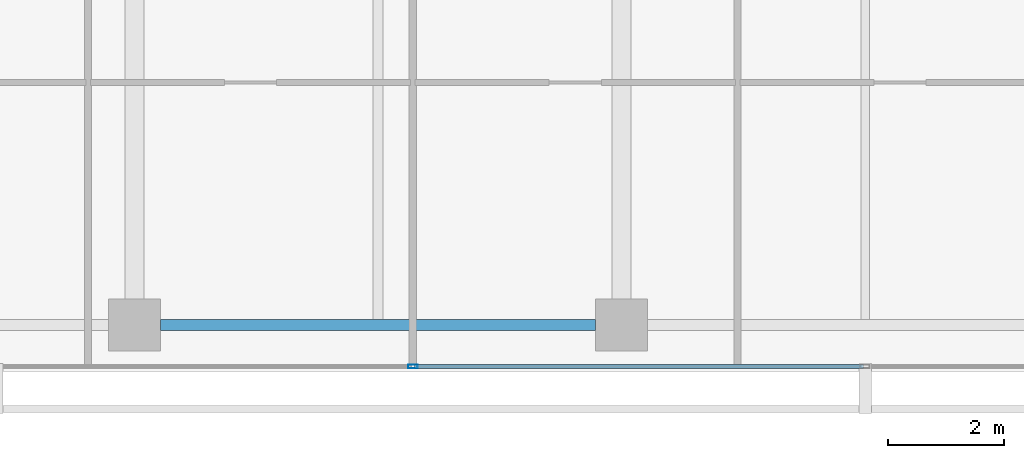
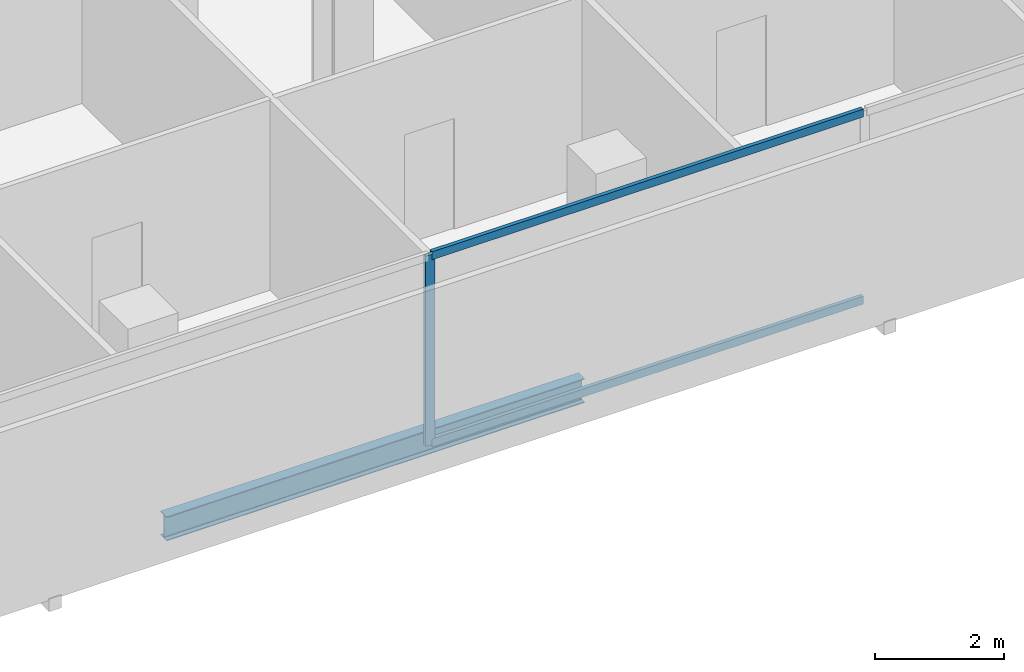
# One storey, part 7 of 41: 3 members, 1 beam, 1 element without a shape of its own.
"""IFC4 building model written with IfcOpenShell, lengths in metres."""

from ifc_helpers import new_model, si_unit, direction, frame, origin, origin_2d, place, context, subcontext, project, spatial, hollow_rectangle, i_section, extrude, material, layer, layer_set, material_profile, profile_set, type_object, element, aggregate, save


model = new_model("IFC4")

# Units and contexts
model_context = context("Model", 3, precision=1e-05, world=origin(), true_north=direction((0.0, 1.0)))
body_context = subcontext(model_context, "Body", "Model", "MODEL_VIEW")
ifc_project = project(units=[si_unit("LENGTHUNIT", "METRE"), si_unit("AREAUNIT", "SQUARE_METRE"), si_unit("VOLUMEUNIT", "CUBIC_METRE"), si_unit("PLANEANGLEUNIT", "RADIAN"), si_unit("MASSUNIT", "GRAM", prefix="KILO")], contexts=[model_context])

# Site, building, storey
site_placement = place(None, origin())
site = spatial("IfcSite", under=ifc_project, at=site_placement, CompositionType="ELEMENT")
building_placement = place(site_placement, origin())
building = spatial("IfcBuilding", under=site, at=building_placement, Name="Maruvema Waterfront Hotel and Observation Tower", CompositionType="ELEMENT")
storey_placement = place(building_placement, frame((0.0, 0.0, 61.60009765625)))
storey = spatial("IfcBuildingStorey", under=building, at=storey_placement, Name="L14", CompositionType="ELEMENT", Elevation=61.60009765625)

# Curtain wall, members
ifc_material_1 = material(Name="Anodised bronze aluminium and solar-control low-E IGU", Category="aluminium")
ifc_layer = layer(ifc_material_1, 0.159912109375, Name="Zone 1 Bronze Inner Thermal Curtain Wall System CW-02")
ifc_layer_set = layer_set([ifc_layer], Name="Anodised bronze aluminium and solar-control low-E IGU")
curtain_wall_type = type_object("IfcCurtainWallType", Name="Zone 1 Bronze Inner Thermal Curtain Wall System CW-02", PredefinedType="USERDEFINED", material=ifc_layer_set)
curtain_wall_placement = place(storey_placement, origin())
curtain_wall = element("IfcCurtainWall", 1, at=curtain_wall_placement, inside=storey, type_object=curtain_wall_type, Name="L14 Curtain Wall CW-L14-S", ObjectType="UNITISED CURTAIN WALL", PredefinedType="USERDEFINED")
ifc_material_2 = material(Name="Anodised architectural bronze aluminium", Category="aluminium")
ifc_material_profile_1 = material_profile(ifc_material_2, hollow_rectangle(XDim=0.070068359375, YDim=0.14990234375, WallThickness=0.00390625, at=origin_2d()), Name="ALU-T70x150")
ifc_profile_set_1 = profile_set([ifc_material_profile_1], Name="Anodised architectural bronze aluminium")
member_type_1 = type_object("IfcMemberType", Name="Curtain Wall Horizontal Transom ALU-T70x150", PredefinedType="USERDEFINED", material=ifc_profile_set_1)
member_1_placement = place(storey_placement, frame((30.030029296875, 0.080078125, 0.02978515625), z_axis=(1.0, 0.0, 0.0), x_axis=(0.0, 1.0, 0.0)))
member_1 = element("IfcMember", 2, at=member_1_placement, type_object=member_type_1, Name="CW-02 transom 3.1", ObjectType="TRANSOM", PredefinedType="USERDEFINED", context=body_context, shape_type="SweptSolid", body=[
    extrude(hollow_rectangle(XDim=0.070068359375, YDim=0.14990234375, WallThickness=0.00390625, at=origin_2d()), origin(), (0.0, 0.0, 1.0), 7.739990234375),
])
member_2_placement = place(storey_placement, frame((30.030029296875, 0.080078125, 3.579833984375), z_axis=(1.0, 0.0, 0.0), x_axis=(0.0, 1.0, 0.0)))
member_2 = element("IfcMember", 3, at=member_2_placement, type_object=member_type_1, Name="CW-02 transom 3.2", ObjectType="TRANSOM", PredefinedType="USERDEFINED", context=body_context, shape_type="SweptSolid", body=[
    extrude(hollow_rectangle(XDim=0.070068359375, YDim=0.14990234375, WallThickness=0.00390625, at=origin_2d()), origin(), (0.0, 0.0, 1.0), 7.739990234375),
])
ifc_material_3 = material(Name="Anodised architectural bronze aluminium", Category="aluminium")
ifc_material_profile_2 = material_profile(ifc_material_3, hollow_rectangle(XDim=0.06494140625, YDim=0.1650390625, WallThickness=0.00390625, at=origin_2d()), Name="ALU-M65x165")
ifc_profile_set_2 = profile_set([ifc_material_profile_2], Name="Anodised architectural bronze aluminium")
member_type_2 = type_object("IfcMemberType", Name="Curtain Wall Primary Mullion ALU-M65x165", PredefinedType="MULLION", material=ifc_profile_set_2)
member_3_placement = place(storey_placement, frame((30.0, 0.080078125, 0.0), z_axis=(0.0, 0.0, 1.0), x_axis=(0.0, 1.0, 0.0)))
member_3 = element("IfcMember", 4, at=member_3_placement, type_object=member_type_2, Name="CW-02 mullion 3", PredefinedType="MULLION", context=body_context, shape_type="SweptSolid", body=[
    extrude(hollow_rectangle(XDim=0.06494140625, YDim=0.1650390625, WallThickness=0.00390625, at=origin_2d()), origin(), (0.0, 0.0, 1.0), 3.60986328125),
])
aggregate(curtain_wall, [member_3, member_1, member_2])

# Beam
ifc_material_4 = material(Name="Steel ASTM A572 Grade 50", Category="steel")
ifc_material_profile_3 = material_profile(ifc_material_4, i_section(OverallWidth=0.18994140625, OverallDepth=0.45703125, WebThickness=0.009033203125, FlangeThickness=0.014404296875, FilletRadius=0.014892578125, at=origin_2d()), Name="W460x74.0")
ifc_profile_set_3 = profile_set([ifc_material_profile_3], Name="Steel ASTM A572 Grade 50")
beam_type = type_object("IfcBeamType", Name="Perimeter Spandrel Beam W460x74.0", PredefinedType="SPANDREL", material=ifc_profile_set_3)
beam_placement = place(storey_placement, frame((25.64990234375, 0.800048828125, -0.468505859375), z_axis=(1.0, 0.0, 0.0), x_axis=(0.0, 1.0, 0.0)))
element("IfcBeam", 5, at=beam_placement, inside=storey, type_object=beam_type, Name="L14 Floor Girder EW-02", PredefinedType="SPANDREL", context=body_context, shape_type="SweptSolid", body=[
    extrude(i_section(OverallWidth=0.18994140625, OverallDepth=0.45703125, WebThickness=0.009033203125, FlangeThickness=0.014404296875, FilletRadius=0.014892578125, at=origin_2d()), origin(), (0.0, 0.0, 1.0), 7.5),
])

save(model, "model.ifc")
